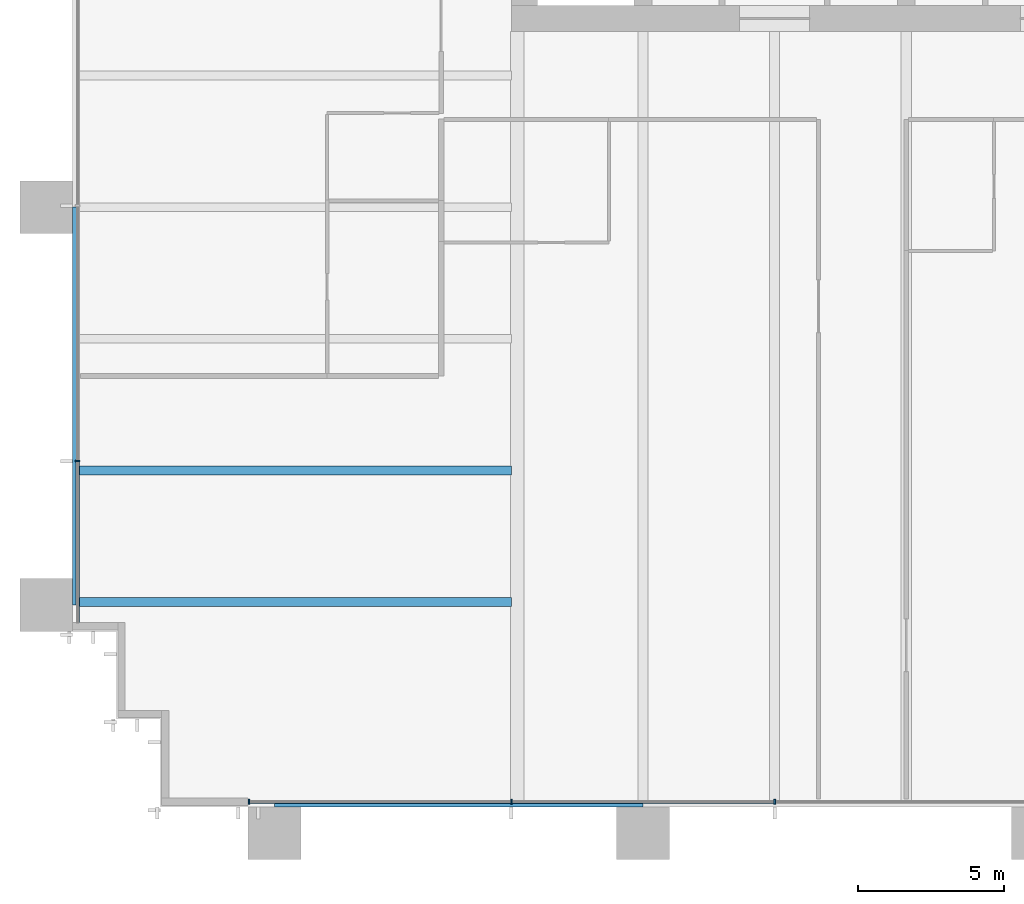
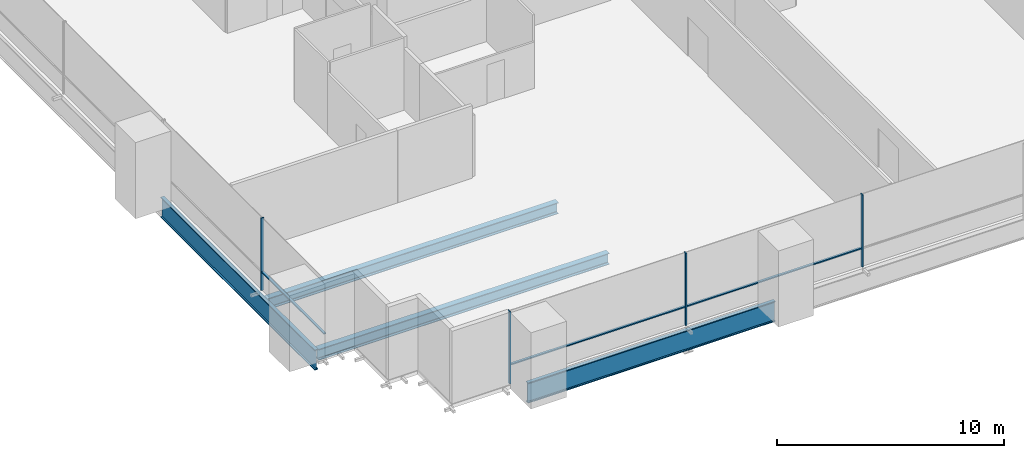
# One storey, part 2 of 17: 7 members, 4 beams, 2 elements without a shape of their own.
"""IFC4 building model written with IfcOpenShell, lengths in metres."""

from ifc_helpers import new_model, si_unit, direction, frame, origin, origin_2d, place, context, subcontext, project, spatial, rectangle, i_section, extrude, material, material_profile, profile_set, type_object, element, aggregate, save


model = new_model("IFC4")

# Units and contexts
model_context = context("Model", 3, precision=1e-05, world=origin(), true_north=direction((0.0, 1.0)))
body_context = subcontext(model_context, "Body", "Model", "MODEL_VIEW")
ifc_project = project(units=[si_unit("LENGTHUNIT", "METRE"), si_unit("AREAUNIT", "SQUARE_METRE"), si_unit("VOLUMEUNIT", "CUBIC_METRE"), si_unit("PLANEANGLEUNIT", "RADIAN"), si_unit("MASSUNIT", "GRAM", prefix="KILO")], contexts=[model_context])

# Site, building, storey
site_placement = place(None, origin())
site = spatial("IfcSite", under=ifc_project, at=site_placement, CompositionType="ELEMENT")
building_placement = place(site_placement, origin())
building = spatial("IfcBuilding", under=site, at=building_placement, Name="Rattan Terrace Tower", CompositionType="ELEMENT")
storey_placement = place(building_placement, frame((0.0, 0.0, 48.800048828125)))
storey = spatial("IfcBuildingStorey", under=building, at=storey_placement, Name="L10", CompositionType="ELEMENT", Elevation=48.800048828125)

# Curtain wall, member
ifc_material_1 = material(Name="Aluminium and glass", Category="aluminium")
curtain_wall_type = type_object("IfcCurtainWallType", Name="Facade Unitised Curtain Wall", PredefinedType="NOTDEFINED", material=ifc_material_1)
curtain_wall_1_placement = place(storey_placement, origin())
curtain_wall_1 = element("IfcCurtainWall", 1, at=curtain_wall_1_placement, inside=storey, type_object=curtain_wall_type, Name="Curtain wall L10-3", PredefinedType="NOTDEFINED")
ifc_material_2 = material(Name="Aluminium", Category="aluminium")
ifc_material_profile_1 = material_profile(ifc_material_2, rectangle(XDim=0.06005859375, YDim=0.159912109375, at=origin_2d()), Name="Aluminium 60x160")
ifc_profile_set_1 = profile_set([ifc_material_profile_1], Name="Aluminium")
member_type_1 = type_object("IfcMemberType", Name="Facade CW Mullion 60x160", PredefinedType="MULLION", material=ifc_profile_set_1)
member_1_placement = place(storey_placement, frame((-32.830078125, -22.180908203125, 0.0), z_axis=(0.0, 0.0, 1.0), x_axis=(0.0, -1.0, 0.0)))
member_1 = element("IfcMember", 2, at=member_1_placement, type_object=member_type_1, Name="Mullion cwl-L10-003.4", PredefinedType="MULLION", context=body_context, shape_type="SweptSolid", body=[
    extrude(rectangle(XDim=0.06005859375, YDim=0.159912109375, at=origin_2d()), origin(), (0.0, 0.0, 1.0), 3.89990234375),
])

# Curtain wall, members
curtain_wall_2_placement = place(storey_placement, origin())
curtain_wall_2 = element("IfcCurtainWall", 3, at=curtain_wall_2_placement, inside=storey, type_object=curtain_wall_type, Name="Curtain wall L10-4", PredefinedType="NOTDEFINED")
member_2_placement = place(storey_placement, frame((-26.969970703125, -33.830078125, 0.0), z_axis=(0.0, 0.0, 1.0), x_axis=(1.0, 0.0, 0.0)))
member_2 = element("IfcMember", 4, at=member_2_placement, type_object=member_type_1, Name="Mullion cwl-L10-004.1", PredefinedType="MULLION", context=body_context, shape_type="SweptSolid", body=[
    extrude(rectangle(XDim=0.06005859375, YDim=0.159912109375, at=origin_2d()), origin(), (0.0, 0.0, 1.0), 3.89990234375),
])
member_3_placement = place(storey_placement, frame((-18.0, -33.830078125, 0.0), z_axis=(0.0, 0.0, 1.0), x_axis=(1.0, 0.0, 0.0)))
member_3 = element("IfcMember", 5, at=member_3_placement, type_object=member_type_1, Name="Mullion cwl-L10-004.2", PredefinedType="MULLION", context=body_context, shape_type="SweptSolid", body=[
    extrude(rectangle(XDim=0.06005859375, YDim=0.159912109375, at=origin_2d()), origin(), (0.0, 0.0, 1.0), 3.89990234375),
])
member_4_placement = place(storey_placement, frame((-9.0, -33.830078125, 0.0), z_axis=(0.0, 0.0, 1.0), x_axis=(1.0, 0.0, 0.0)))
member_4 = element("IfcMember", 6, at=member_4_placement, type_object=member_type_1, Name="Mullion cwl-L10-004.3", PredefinedType="MULLION", context=body_context, shape_type="SweptSolid", body=[
    extrude(rectangle(XDim=0.06005859375, YDim=0.159912109375, at=origin_2d()), origin(), (0.0, 0.0, 1.0), 3.89990234375),
])

# Member
ifc_material_3 = material(Name="Aluminium", Category="aluminium")
ifc_material_profile_2 = material_profile(ifc_material_3, rectangle(XDim=0.1201171875, YDim=0.06005859375, at=origin_2d()), Name="Aluminium 120x60")
ifc_profile_set_2 = profile_set([ifc_material_profile_2], Name="Aluminium")
member_type_2 = type_object("IfcMemberType", Name="Facade CW Transom 120x60", PredefinedType="USERDEFINED", material=ifc_profile_set_2)
member_5_placement = place(storey_placement, frame((-32.830078125, -22.2109375, 1.0), z_axis=(0.0, -1.0, 0.0), x_axis=(1.0, 0.0, 0.0)))
member_5 = element("IfcMember", 7, at=member_5_placement, type_object=member_type_2, Name="Transom cwl-L10-003.4", ObjectType="TRANSOM", PredefinedType="USERDEFINED", context=body_context, shape_type="SweptSolid", body=[
    extrude(rectangle(XDim=0.1201171875, YDim=0.06005859375, at=origin_2d()), origin(), (0.0, 0.0, 1.0), 5.494140625),
])

aggregate(curtain_wall_1, [member_1, member_5])

member_6_placement = place(storey_placement, frame((-26.93994140625, -33.830078125, 1.0), z_axis=(1.0, 0.0, 0.0), x_axis=(0.0, 1.0, 0.0)))
member_6 = element("IfcMember", 8, at=member_6_placement, type_object=member_type_2, Name="Transom cwl-L10-004.1", ObjectType="TRANSOM", PredefinedType="USERDEFINED", context=body_context, shape_type="SweptSolid", body=[
    extrude(rectangle(XDim=0.1201171875, YDim=0.06005859375, at=origin_2d()), origin(), (0.0, 0.0, 1.0), 8.909912109375),
])

member_7_placement = place(storey_placement, frame((-17.969970703125, -33.830078125, 1.0), z_axis=(1.0, 0.0, 0.0), x_axis=(0.0, 1.0, 0.0)))
member_7 = element("IfcMember", 9, at=member_7_placement, type_object=member_type_2, Name="Transom cwl-L10-004.2", ObjectType="TRANSOM", PredefinedType="USERDEFINED", context=body_context, shape_type="SweptSolid", body=[
    extrude(rectangle(XDim=0.1201171875, YDim=0.06005859375, at=origin_2d()), origin(), (0.0, 0.0, 1.0), 8.93994140625),
])

aggregate(curtain_wall_2, [member_2, member_3, member_4, member_6, member_7])

# Beams
ifc_material_4 = material(Name="Steel S460", Category="steel")
ifc_material_profile_3 = material_profile(ifc_material_4, i_section(OverallWidth=0.179931640625, OverallDepth=1.10009765625, WebThickness=0.01611328125, FlangeThickness=0.050048828125, at=origin_2d()), Name="PG 1100x180-16-50")
ifc_profile_set_3 = profile_set([ifc_material_profile_3], Name="Steel S460")
beam_type_1 = type_object("IfcBeamType", Name="Frame edge girder PG 1100x180-16-50", PredefinedType="SPANDREL", material=ifc_profile_set_3)
beam_1_placement = place(storey_placement, frame((-26.10009765625, -33.909912109375, -0.75), z_axis=(1.0, 0.0, 0.0), x_axis=(0.0, 1.0, 0.0)))
element("IfcBeam", 10, at=beam_1_placement, inside=storey, type_object=beam_type_1, Name="gdr-L10-001", PredefinedType="SPANDREL", context=body_context, shape_type="SweptSolid", body=[
    extrude(i_section(OverallWidth=0.179931640625, OverallDepth=1.10009765625, WebThickness=0.01611328125, FlangeThickness=0.050048828125, at=origin_2d()), origin(), (0.0, 0.0, 1.0), 12.60009765625),
])
beam_2_placement = place(storey_placement, frame((-32.909912109375, -13.5, -0.75), z_axis=(0.0, -1.0, 0.0), x_axis=(1.0, 0.0, 0.0)))
element("IfcBeam", 11, at=beam_2_placement, inside=storey, type_object=beam_type_1, Name="gdr-L10-006", PredefinedType="SPANDREL", context=body_context, shape_type="SweptSolid", body=[
    extrude(i_section(OverallWidth=0.179931640625, OverallDepth=1.10009765625, WebThickness=0.01611328125, FlangeThickness=0.050048828125, at=origin_2d()), origin(), (0.0, 0.0, 1.0), 13.60009765625),
])
ifc_material_5 = material(Name="Steel S355", Category="steel")
ifc_material_profile_4 = material_profile(ifc_material_5, i_section(OverallWidth=0.300048828125, OverallDepth=0.60009765625, WebThickness=0.015380859375, FlangeThickness=0.030029296875, FilletRadius=0.027099609375, at=origin_2d()), Name="HE 600 B")
ifc_profile_set_4 = profile_set([ifc_material_profile_4], Name="Steel S355")
beam_type_2 = type_object("IfcBeamType", Name="Frame floor beam HE 600 B", PredefinedType="JOIST", material=ifc_profile_set_4)
for number, where, z_axis, x_axis, name in (
    (12, (-32.820068359375, -27.0, -0.5), (1.0, 0.0, 0.0), (0.0, 1.0, 0.0), "bm-L10-010"),
    (13, (-32.820068359375, -22.5, -0.5), (1.0, 0.0, 0.0), (0.0, 1.0, 0.0), "bm-L10-012"),
):
    element("IfcBeam", number, at=place(storey_placement, frame(where, z_axis=z_axis, x_axis=x_axis)), inside=storey, type_object=beam_type_2, Name=name, PredefinedType="JOIST", context=body_context, shape_type="SweptSolid", body=[
        extrude(i_section(OverallWidth=0.300048828125, OverallDepth=0.60009765625, WebThickness=0.015380859375, FlangeThickness=0.030029296875, FilletRadius=0.027099609375, at=origin_2d()), origin(), (0.0, 0.0, 1.0), 14.820068359375),
    ])

save(model, "model.ifc")
